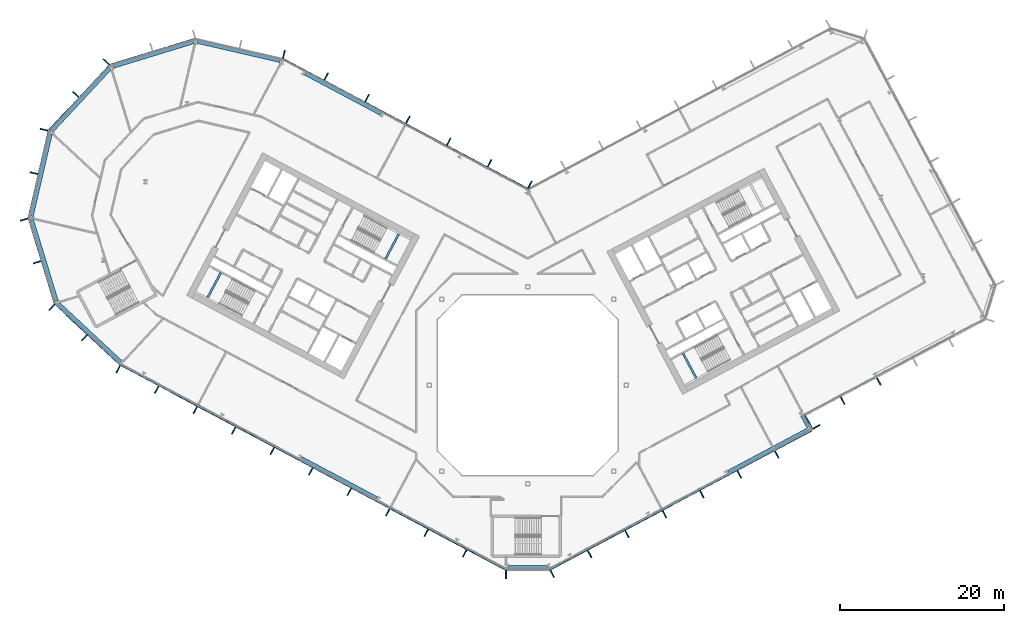
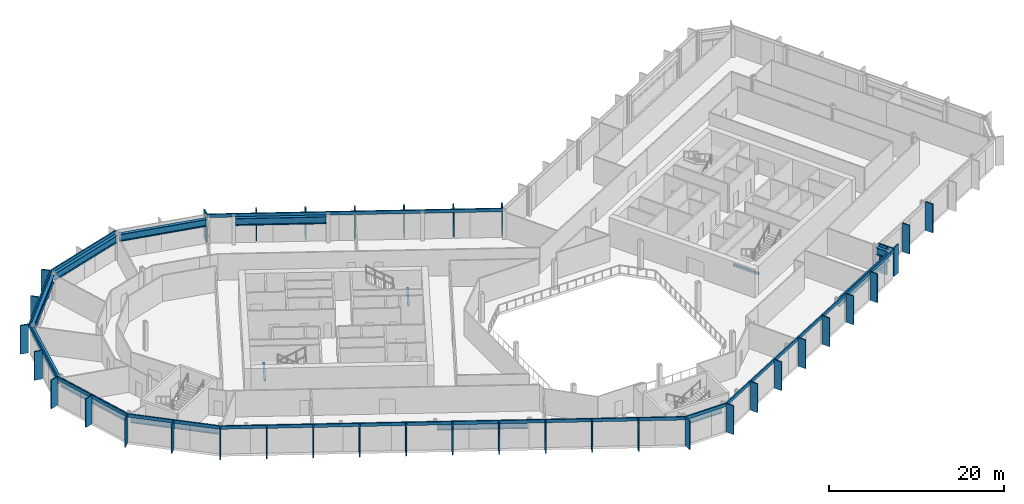
# One storey, part 9 of 28: 47 members, 14 beams, 12 elements without a shape of their own.
"""IFC4 building model written with IfcOpenShell, lengths in metres."""

from ifc_helpers import new_model, si_unit, direction, frame, origin, origin_2d, place, context, subcontext, project, spatial, rectangle, i_section, extrude, material, layer, layer_set, material_profile, profile_set, type_object, element, aggregate, save


model = new_model("IFC4")

# Units and contexts
model_context = context("Model", 3, precision=1e-05, world=origin(), true_north=direction((0.0, 1.0)))
body_context = subcontext(model_context, "Body", "Model", "MODEL_VIEW")
ifc_project = project(units=[si_unit("LENGTHUNIT", "METRE"), si_unit("AREAUNIT", "SQUARE_METRE"), si_unit("VOLUMEUNIT", "CUBIC_METRE"), si_unit("PLANEANGLEUNIT", "RADIAN"), si_unit("MASSUNIT", "GRAM", prefix="KILO")], contexts=[model_context])

# Site, building, storey
site_placement = place(None, origin())
site = spatial("IfcSite", under=ifc_project, at=site_placement, CompositionType="ELEMENT")
building_placement = place(site_placement, origin())
building = spatial("IfcBuilding", under=site, at=building_placement, Name="Cormorant Relay Tower", CompositionType="ELEMENT")
storey_placement = place(building_placement, frame((0.0, 0.0, 142.199951171875)))
storey = spatial("IfcBuildingStorey", under=building, at=storey_placement, Name="L29", CompositionType="ELEMENT", Elevation=142.199951171875)

# Curtain wall, member
ifc_material_1 = material(Name="Aluminium 6063-T6 anodised bronze", Category="aluminium")
ifc_layer = layer(ifc_material_1, 0.199951171875)
ifc_layer_set = layer_set([ifc_layer], Name="CW1 unitised bronze curtain wall with vertical fins")
curtain_wall_type = type_object("IfcCurtainWallType", Name="CW1 unitised bronze curtain wall with vertical fins", PredefinedType="NOTDEFINED", material=ifc_layer_set)
curtain_wall_1_placement = place(storey_placement, origin())
curtain_wall_1 = element("IfcCurtainWall", 1, at=curtain_wall_1_placement, inside=storey, type_object=curtain_wall_type, Name="CW1 curtain wall 1", PredefinedType="NOTDEFINED")
ifc_material_2 = material(Name="Aluminium 6063-T6 anodised bronze", Category="aluminium")
ifc_material_profile_1 = material_profile(ifc_material_2, rectangle(XDim=0.14990234375, YDim=1.0, at=origin_2d()), Name="AL 150x1000")
ifc_profile_set_1 = profile_set([ifc_material_profile_1], Name="Aluminium 6063-T6 anodised bronze")
member_type_1 = type_object("IfcMemberType", Name="CW1 bronze fin mullion 150 x 1000", PredefinedType="MULLION", material=ifc_profile_set_1)
member_1_placement = place(storey_placement, frame((-2.648681640625, -23.07568359375, 0.0), z_axis=(0.0, 0.0, 1.0), x_axis=(1.0, 0.0, 0.0)))
member_1 = element("IfcMember", 2, at=member_1_placement, type_object=member_type_1, Name="CW1 fin 1.1", PredefinedType="MULLION", context=body_context, shape_type="SweptSolid", body=[
    extrude(rectangle(XDim=0.14990234375, YDim=1.0, at=origin_2d()), origin(), (0.0, 0.0, 1.0), 4.0),
])

# Curtain wall, members
curtain_wall_2_placement = place(storey_placement, origin())
curtain_wall_2 = element("IfcCurtainWall", 3, at=curtain_wall_2_placement, inside=storey, type_object=curtain_wall_type, Name="CW1 curtain wall 2", PredefinedType="NOTDEFINED")
member_2_placement = place(storey_placement, frame((2.9775390625, -22.99365234375, 0.0), z_axis=(0.0, 0.0, 1.0), x_axis=(0.882947592859, 0.469471562786, 0.0)))
member_2 = element("IfcMember", 4, at=member_2_placement, type_object=member_type_1, Name="CW1 fin 2.1", PredefinedType="MULLION", context=body_context, shape_type="SweptSolid", body=[
    extrude(rectangle(XDim=0.14990234375, YDim=1.0, at=origin_2d()), origin(), (0.0, 0.0, 1.0), 4.0),
])
member_3_placement = place(storey_placement, frame((7.539306640625, -20.568115234375, 0.0), z_axis=(0.0, 0.0, 1.0), x_axis=(0.882947592859, 0.469471562786, 0.0)))
member_3 = element("IfcMember", 5, at=member_3_placement, type_object=member_type_1, Name="CW1 fin 2.2", PredefinedType="MULLION", context=body_context, shape_type="SweptSolid", body=[
    extrude(rectangle(XDim=0.14990234375, YDim=1.0, at=origin_2d()), origin(), (0.0, 0.0, 1.0), 4.0),
])
member_4_placement = place(storey_placement, frame((12.10107421875, -18.142578125, 0.0), z_axis=(0.0, 0.0, 1.0), x_axis=(0.882947592859, 0.469471562786, 0.0)))
member_4 = element("IfcMember", 6, at=member_4_placement, type_object=member_type_1, Name="CW1 fin 2.3", PredefinedType="MULLION", context=body_context, shape_type="SweptSolid", body=[
    extrude(rectangle(XDim=0.14990234375, YDim=1.0, at=origin_2d()), origin(), (0.0, 0.0, 1.0), 4.0),
])
member_5_placement = place(storey_placement, frame((16.662841796875, -15.717041015625, 0.0), z_axis=(0.0, 0.0, 1.0), x_axis=(0.882947592859, 0.469471562786, 0.0)))
member_5 = element("IfcMember", 7, at=member_5_placement, type_object=member_type_1, Name="CW1 fin 2.4", PredefinedType="MULLION", context=body_context, shape_type="SweptSolid", body=[
    extrude(rectangle(XDim=0.14990234375, YDim=1.0, at=origin_2d()), origin(), (0.0, 0.0, 1.0), 4.0),
])
member_6_placement = place(storey_placement, frame((21.224609375, -13.29150390625, 0.0), z_axis=(0.0, 0.0, 1.0), x_axis=(0.882947592859, 0.469471562786, 0.0)))
member_6 = element("IfcMember", 8, at=member_6_placement, type_object=member_type_1, Name="CW1 fin 2.5", PredefinedType="MULLION", context=body_context, shape_type="SweptSolid", body=[
    extrude(rectangle(XDim=0.14990234375, YDim=1.0, at=origin_2d()), origin(), (0.0, 0.0, 1.0), 4.0),
])
member_7_placement = place(storey_placement, frame((25.78662109375, -10.865966796875, 0.0), z_axis=(0.0, 0.0, 1.0), x_axis=(0.882947592859, 0.469471562786, 0.0)))
member_7 = element("IfcMember", 9, at=member_7_placement, type_object=member_type_1, Name="CW1 fin 2.6", PredefinedType="MULLION", context=body_context, shape_type="SweptSolid", body=[
    extrude(rectangle(XDim=0.14990234375, YDim=1.0, at=origin_2d()), origin(), (0.0, 0.0, 1.0), 4.0),
])
member_8_placement = place(storey_placement, frame((30.348388671875, -8.440185546875, 0.0), z_axis=(0.0, 0.0, 1.0), x_axis=(0.882947592859, 0.469471562786, 0.0)))
member_8 = element("IfcMember", 10, at=member_8_placement, type_object=member_type_1, Name="CW1 fin 2.7", PredefinedType="MULLION", context=body_context, shape_type="SweptSolid", body=[
    extrude(rectangle(XDim=0.14990234375, YDim=1.0, at=origin_2d()), origin(), (0.0, 0.0, 1.0), 4.0),
])

# Curtain wall, member
curtain_wall_3_placement = place(storey_placement, origin())
curtain_wall_3 = element("IfcCurtainWall", 11, at=curtain_wall_3_placement, inside=storey, type_object=curtain_wall_type, Name="CW1 curtain wall 3", PredefinedType="NOTDEFINED")
member_9_placement = place(storey_placement, frame((35.199462890625, -5.068115234375, 0.0), z_axis=(0.0, 0.0, 1.0), x_axis=(-0.469471562786, 0.882947592859, 0.0)))
member_9 = element("IfcMember", 12, at=member_9_placement, type_object=member_type_1, Name="CW1 fin 3.1", PredefinedType="MULLION", context=body_context, shape_type="SweptSolid", body=[
    extrude(rectangle(XDim=0.14990234375, YDim=1.0, at=origin_2d()), origin(), (0.0, 0.0, 1.0), 4.0),
])

# Curtain wall, members
curtain_wall_4_placement = place(storey_placement, origin())
curtain_wall_4 = element("IfcCurtainWall", 13, at=curtain_wall_4_placement, inside=storey, type_object=curtain_wall_type, Name="CW1 curtain wall 4", PredefinedType="NOTDEFINED")
member_10_placement = place(storey_placement, frame((34.037353515625, -4.213623046875, 0.0), z_axis=(0.0, 0.0, 1.0), x_axis=(0.882947592859, 0.469471562786, 0.0)))
member_10 = element("IfcMember", 14, at=member_10_placement, type_object=member_type_1, Name="CW1 fin 4.1", PredefinedType="MULLION", context=body_context, shape_type="SweptSolid", body=[
    extrude(rectangle(XDim=0.14990234375, YDim=1.0, at=origin_2d()), origin(), (0.0, 0.0, 1.0), 4.0),
])
member_11_placement = place(storey_placement, frame((38.385986328125, -1.901611328125, 0.0), z_axis=(0.0, 0.0, 1.0), x_axis=(0.882947592859, 0.469471562786, 0.0)))
member_11 = element("IfcMember", 15, at=member_11_placement, type_object=member_type_1, Name="CW1 fin 4.2", PredefinedType="MULLION", context=body_context, shape_type="SweptSolid", body=[
    extrude(rectangle(XDim=0.14990234375, YDim=1.0, at=origin_2d()), origin(), (0.0, 0.0, 1.0), 4.0),
])
member_12_placement = place(storey_placement, frame((42.800537109375, 0.44580078125, 0.0), z_axis=(0.0, 0.0, 1.0), x_axis=(0.882947592859, 0.469471562786, 0.0)))
member_12 = element("IfcMember", 16, at=member_12_placement, type_object=member_type_1, Name="CW1 fin 4.3", PredefinedType="MULLION", context=body_context, shape_type="SweptSolid", body=[
    extrude(rectangle(XDim=0.14990234375, YDim=1.0, at=origin_2d()), origin(), (0.0, 0.0, 1.0), 4.0),
])
aggregate(curtain_wall_4, [member_10, member_11, member_12])

curtain_wall_5_placement = place(storey_placement, origin())
curtain_wall_5 = element("IfcCurtainWall", 17, at=curtain_wall_5_placement, inside=storey, type_object=curtain_wall_type, Name="CW1 curtain wall 9", PredefinedType="NOTDEFINED")
member_13_placement = place(storey_placement, frame((0.262451171875, 24.437255859375, 0.0), z_axis=(0.0, 0.0, 1.0), x_axis=(-0.882947592859, 0.469471562786, 0.0)))
member_13 = element("IfcMember", 18, at=member_13_placement, type_object=member_type_1, Name="CW1 fin 9.1", PredefinedType="MULLION", context=body_context, shape_type="SweptSolid", body=[
    extrude(rectangle(XDim=0.14990234375, YDim=1.0, at=origin_2d()), origin(), (0.0, 0.0, 1.0), 4.0),
])
member_14_placement = place(storey_placement, frame((-4.650390625, 27.04931640625, 0.0), z_axis=(0.0, 0.0, 1.0), x_axis=(-0.882947592859, 0.469471562786, 0.0)))
member_14 = element("IfcMember", 19, at=member_14_placement, type_object=member_type_1, Name="CW1 fin 9.2", PredefinedType="MULLION", context=body_context, shape_type="SweptSolid", body=[
    extrude(rectangle(XDim=0.14990234375, YDim=1.0, at=origin_2d()), origin(), (0.0, 0.0, 1.0), 4.0),
])
member_15_placement = place(storey_placement, frame((-9.62939453125, 29.69677734375, 0.0), z_axis=(0.0, 0.0, 1.0), x_axis=(-0.882947592859, 0.469471562786, 0.0)))
member_15 = element("IfcMember", 20, at=member_15_placement, type_object=member_type_1, Name="CW1 fin 9.3", PredefinedType="MULLION", context=body_context, shape_type="SweptSolid", body=[
    extrude(rectangle(XDim=0.14990234375, YDim=1.0, at=origin_2d()), origin(), (0.0, 0.0, 1.0), 4.0),
])
member_16_placement = place(storey_placement, frame((-14.608154296875, 32.343994140625, 0.0), z_axis=(0.0, 0.0, 1.0), x_axis=(-0.882947592859, 0.469471562786, 0.0)))
member_16 = element("IfcMember", 21, at=member_16_placement, type_object=member_type_1, Name="CW1 fin 9.4", PredefinedType="MULLION", context=body_context, shape_type="SweptSolid", body=[
    extrude(rectangle(XDim=0.14990234375, YDim=1.0, at=origin_2d()), origin(), (0.0, 0.0, 1.0), 4.0),
])
member_17_placement = place(storey_placement, frame((-19.587158203125, 34.991455078125, 0.0), z_axis=(0.0, 0.0, 1.0), x_axis=(-0.882947592859, 0.469471562786, 0.0)))
member_17 = element("IfcMember", 22, at=member_17_placement, type_object=member_type_1, Name="CW1 fin 9.5", PredefinedType="MULLION", context=body_context, shape_type="SweptSolid", body=[
    extrude(rectangle(XDim=0.14990234375, YDim=1.0, at=origin_2d()), origin(), (0.0, 0.0, 1.0), 4.0),
])
member_18_placement = place(storey_placement, frame((-24.566162109375, 37.638916015625, 0.0), z_axis=(0.0, 0.0, 1.0), x_axis=(-0.882947592859, 0.469471562786, 0.0)))
member_18 = element("IfcMember", 23, at=member_18_placement, type_object=member_type_1, Name="CW1 fin 9.6", PredefinedType="MULLION", context=body_context, shape_type="SweptSolid", body=[
    extrude(rectangle(XDim=0.14990234375, YDim=1.0, at=origin_2d()), origin(), (0.0, 0.0, 1.0), 4.0),
])

# Curtain wall, member
curtain_wall_6_placement = place(storey_placement, origin())
curtain_wall_6 = element("IfcCurtainWall", 24, at=curtain_wall_6_placement, inside=storey, type_object=curtain_wall_type, Name="CW1 curtain wall 10", PredefinedType="NOTDEFINED")
member_19_placement = place(storey_placement, frame((-29.71630859375, 40.35009765625, 0.0), z_axis=(0.0, 0.0, 1.0), x_axis=(-0.974370064785, 0.224951054344, 0.0)))
member_19 = element("IfcMember", 25, at=member_19_placement, type_object=member_type_1, Name="CW1 fin 10.1", PredefinedType="MULLION", context=body_context, shape_type="SweptSolid", body=[
    extrude(rectangle(XDim=0.14990234375, YDim=1.0, at=origin_2d()), origin(), (0.0, 0.0, 1.0), 4.0),
])
aggregate(curtain_wall_6, [member_19])

# Curtain wall, members
curtain_wall_7_placement = place(storey_placement, origin())
curtain_wall_7 = element("IfcCurtainWall", 26, at=curtain_wall_7_placement, inside=storey, type_object=curtain_wall_type, Name="CW1 curtain wall 12", PredefinedType="NOTDEFINED")
member_20_placement = place(storey_placement, frame((-51.372802734375, 39.41259765625, 0.0), z_axis=(0.0, 0.0, 1.0), x_axis=(-0.681998360062, -0.731353701619, 0.0)))
member_20 = element("IfcMember", 27, at=member_20_placement, type_object=member_type_1, Name="CW1 fin 12.1", PredefinedType="MULLION", context=body_context, shape_type="SweptSolid", body=[
    extrude(rectangle(XDim=0.14990234375, YDim=1.0, at=origin_2d()), origin(), (0.0, 0.0, 1.0), 4.0),
])
member_21_placement = place(storey_placement, frame((-55.07958984375, 35.4375, 0.0), z_axis=(0.0, 0.0, 1.0), x_axis=(-0.681998360062, -0.731353701619, 0.0)))
member_21 = element("IfcMember", 28, at=member_21_placement, type_object=member_type_1, Name="CW1 fin 12.2", PredefinedType="MULLION", context=body_context, shape_type="SweptSolid", body=[
    extrude(rectangle(XDim=0.14990234375, YDim=1.0, at=origin_2d()), origin(), (0.0, 0.0, 1.0), 4.0),
])

curtain_wall_8_placement = place(storey_placement, origin())
curtain_wall_8 = element("IfcCurtainWall", 29, at=curtain_wall_8_placement, inside=storey, type_object=curtain_wall_type, Name="CW1 curtain wall 13", PredefinedType="NOTDEFINED")
member_22_placement = place(storey_placement, frame((-58.95654296875, 31.142578125, 0.0), z_axis=(0.0, 0.0, 1.0), x_axis=(-0.224951054344, -0.974370064785, 0.0)))
member_22 = element("IfcMember", 30, at=member_22_placement, type_object=member_type_1, Name="CW1 fin 13.1", PredefinedType="MULLION", context=body_context, shape_type="SweptSolid", body=[
    extrude(rectangle(XDim=0.14990234375, YDim=1.0, at=origin_2d()), origin(), (0.0, 0.0, 1.0), 4.0),
])
member_23_placement = place(storey_placement, frame((-60.17919921875, 25.8466796875, 0.0), z_axis=(0.0, 0.0, 1.0), x_axis=(-0.224951054344, -0.974370064785, 0.0)))
member_23 = element("IfcMember", 31, at=member_23_placement, type_object=member_type_1, Name="CW1 fin 13.2", PredefinedType="MULLION", context=body_context, shape_type="SweptSolid", body=[
    extrude(rectangle(XDim=0.14990234375, YDim=1.0, at=origin_2d()), origin(), (0.0, 0.0, 1.0), 4.0),
])

curtain_wall_9_placement = place(storey_placement, origin())
curtain_wall_9 = element("IfcCurtainWall", 32, at=curtain_wall_9_placement, inside=storey, type_object=curtain_wall_type, Name="CW1 curtain wall 14", PredefinedType="NOTDEFINED")
member_24_placement = place(storey_placement, frame((-61.389404296875, 20.188720703125, 0.0), z_axis=(0.0, 0.0, 1.0), x_axis=(0.292371704723, -0.956304755963, 0.0)))
member_24 = element("IfcMember", 33, at=member_24_placement, type_object=member_type_1, Name="CW1 fin 14.1", PredefinedType="MULLION", context=body_context, shape_type="SweptSolid", body=[
    extrude(rectangle(XDim=0.14990234375, YDim=1.0, at=origin_2d()), origin(), (0.0, 0.0, 1.0), 4.0),
])
member_25_placement = place(storey_placement, frame((-59.80029296875, 14.990966796875, 0.0), z_axis=(0.0, 0.0, 1.0), x_axis=(0.292371704723, -0.956304755963, 0.0)))
member_25 = element("IfcMember", 34, at=member_25_placement, type_object=member_type_1, Name="CW1 fin 14.2", PredefinedType="MULLION", context=body_context, shape_type="SweptSolid", body=[
    extrude(rectangle(XDim=0.14990234375, YDim=1.0, at=origin_2d()), origin(), (0.0, 0.0, 1.0), 4.0),
])

curtain_wall_10_placement = place(storey_placement, origin())
curtain_wall_10 = element("IfcCurtainWall", 35, at=curtain_wall_10_placement, inside=storey, type_object=curtain_wall_type, Name="CW1 curtain wall 15", PredefinedType="NOTDEFINED")
member_26_placement = place(storey_placement, frame((-58.01904296875, 9.486083984375, 0.0), z_axis=(0.0, 0.0, 1.0), x_axis=(0.731353701619, -0.681998360062, 0.0)))
member_26 = element("IfcMember", 36, at=member_26_placement, type_object=member_type_1, Name="CW1 fin 15.1", PredefinedType="MULLION", context=body_context, shape_type="SweptSolid", body=[
    extrude(rectangle(XDim=0.14990234375, YDim=1.0, at=origin_2d()), origin(), (0.0, 0.0, 1.0), 4.0),
])
member_27_placement = place(storey_placement, frame((-54.0439453125, 5.779296875, 0.0), z_axis=(0.0, 0.0, 1.0), x_axis=(0.731353701619, -0.681998360062, 0.0)))
member_27 = element("IfcMember", 37, at=member_27_placement, type_object=member_type_1, Name="CW1 fin 15.2", PredefinedType="MULLION", context=body_context, shape_type="SweptSolid", body=[
    extrude(rectangle(XDim=0.14990234375, YDim=1.0, at=origin_2d()), origin(), (0.0, 0.0, 1.0), 4.0),
])

curtain_wall_11_placement = place(storey_placement, origin())
curtain_wall_11 = element("IfcCurtainWall", 38, at=curtain_wall_11_placement, inside=storey, type_object=curtain_wall_type, Name="CW1 curtain wall 16", PredefinedType="NOTDEFINED")
member_28_placement = place(storey_placement, frame((-49.920166015625, 1.96630859375, 0.0), z_axis=(0.0, 0.0, 1.0), x_axis=(0.882947592859, -0.469471562786, 0.0)))
member_28 = element("IfcMember", 39, at=member_28_placement, type_object=member_type_1, Name="CW1 fin 16.1", PredefinedType="MULLION", context=body_context, shape_type="SweptSolid", body=[
    extrude(rectangle(XDim=0.14990234375, YDim=1.0, at=origin_2d()), origin(), (0.0, 0.0, 1.0), 4.0),
])
member_29_placement = place(storey_placement, frame((-45.225830078125, -0.52978515625, 0.0), z_axis=(0.0, 0.0, 1.0), x_axis=(0.882947592859, -0.469471562786, 0.0)))
member_29 = element("IfcMember", 40, at=member_29_placement, type_object=member_type_1, Name="CW1 fin 16.2", PredefinedType="MULLION", context=body_context, shape_type="SweptSolid", body=[
    extrude(rectangle(XDim=0.14990234375, YDim=1.0, at=origin_2d()), origin(), (0.0, 0.0, 1.0), 4.0),
])
member_30_placement = place(storey_placement, frame((-40.531494140625, -3.025634765625, 0.0), z_axis=(0.0, 0.0, 1.0), x_axis=(0.882947592859, -0.469471562786, 0.0)))
member_30 = element("IfcMember", 41, at=member_30_placement, type_object=member_type_1, Name="CW1 fin 16.3", PredefinedType="MULLION", context=body_context, shape_type="SweptSolid", body=[
    extrude(rectangle(XDim=0.14990234375, YDim=1.0, at=origin_2d()), origin(), (0.0, 0.0, 1.0), 4.0),
])
member_31_placement = place(storey_placement, frame((-35.83740234375, -5.521728515625, 0.0), z_axis=(0.0, 0.0, 1.0), x_axis=(0.882947592859, -0.469471562786, 0.0)))
member_31 = element("IfcMember", 42, at=member_31_placement, type_object=member_type_1, Name="CW1 fin 16.4", PredefinedType="MULLION", context=body_context, shape_type="SweptSolid", body=[
    extrude(rectangle(XDim=0.14990234375, YDim=1.0, at=origin_2d()), origin(), (0.0, 0.0, 1.0), 4.0),
])
member_32_placement = place(storey_placement, frame((-31.14306640625, -8.017578125, 0.0), z_axis=(0.0, 0.0, 1.0), x_axis=(0.882947592859, -0.469471562786, 0.0)))
member_32 = element("IfcMember", 43, at=member_32_placement, type_object=member_type_1, Name="CW1 fin 16.5", PredefinedType="MULLION", context=body_context, shape_type="SweptSolid", body=[
    extrude(rectangle(XDim=0.14990234375, YDim=1.0, at=origin_2d()), origin(), (0.0, 0.0, 1.0), 4.0),
])
member_33_placement = place(storey_placement, frame((-26.44873046875, -10.513671875, 0.0), z_axis=(0.0, 0.0, 1.0), x_axis=(0.882947592859, -0.469471562786, 0.0)))
member_33 = element("IfcMember", 44, at=member_33_placement, type_object=member_type_1, Name="CW1 fin 16.6", PredefinedType="MULLION", context=body_context, shape_type="SweptSolid", body=[
    extrude(rectangle(XDim=0.14990234375, YDim=1.0, at=origin_2d()), origin(), (0.0, 0.0, 1.0), 4.0),
])
member_34_placement = place(storey_placement, frame((-21.754638671875, -13.009765625, 0.0), z_axis=(0.0, 0.0, 1.0), x_axis=(0.882947592859, -0.469471562786, 0.0)))
member_34 = element("IfcMember", 45, at=member_34_placement, type_object=member_type_1, Name="CW1 fin 16.7", PredefinedType="MULLION", context=body_context, shape_type="SweptSolid", body=[
    extrude(rectangle(XDim=0.14990234375, YDim=1.0, at=origin_2d()), origin(), (0.0, 0.0, 1.0), 4.0),
])
member_35_placement = place(storey_placement, frame((-17.060302734375, -15.505615234375, 0.0), z_axis=(0.0, 0.0, 1.0), x_axis=(0.882947592859, -0.469471562786, 0.0)))
member_35 = element("IfcMember", 46, at=member_35_placement, type_object=member_type_1, Name="CW1 fin 16.8", PredefinedType="MULLION", context=body_context, shape_type="SweptSolid", body=[
    extrude(rectangle(XDim=0.14990234375, YDim=1.0, at=origin_2d()), origin(), (0.0, 0.0, 1.0), 4.0),
])
member_36_placement = place(storey_placement, frame((-12.365966796875, -18.001708984375, 0.0), z_axis=(0.0, 0.0, 1.0), x_axis=(0.882947592859, -0.469471562786, 0.0)))
member_36 = element("IfcMember", 47, at=member_36_placement, type_object=member_type_1, Name="CW1 fin 16.9", PredefinedType="MULLION", context=body_context, shape_type="SweptSolid", body=[
    extrude(rectangle(XDim=0.14990234375, YDim=1.0, at=origin_2d()), origin(), (0.0, 0.0, 1.0), 4.0),
])
member_37_placement = place(storey_placement, frame((-7.671630859375, -20.49755859375, 0.0), z_axis=(0.0, 0.0, 1.0), x_axis=(0.882947592859, -0.469471562786, 0.0)))
member_37 = element("IfcMember", 48, at=member_37_placement, type_object=member_type_1, Name="CW1 fin 16.10", PredefinedType="MULLION", context=body_context, shape_type="SweptSolid", body=[
    extrude(rectangle(XDim=0.14990234375, YDim=1.0, at=origin_2d()), origin(), (0.0, 0.0, 1.0), 4.0),
])

# Member
ifc_material_3 = material(Name="Aluminium 6063-T6 anodised bronze", Category="aluminium")
ifc_material_profile_2 = material_profile(ifc_material_3, rectangle(XDim=0.159912109375, YDim=0.449951171875, at=origin_2d()), Name="AL 160x450")
ifc_profile_set_2 = profile_set([ifc_material_profile_2], Name="Aluminium 6063-T6 anodised bronze")
member_type_2 = type_object("IfcMemberType", Name="CW1 bronze transom 160 x 450", PredefinedType="USERDEFINED", material=ifc_profile_set_2)
member_38_placement = place(storey_placement, frame((-2.648681640625, -22.49560546875, 3.775146484375), z_axis=(1.0, 0.0, 0.0), x_axis=(0.0, 1.0, 0.0)))
member_38 = element("IfcMember", 49, at=member_38_placement, type_object=member_type_2, Name="CW1 transom 1", ObjectType="TRANSOM", PredefinedType="USERDEFINED", context=body_context, shape_type="SweptSolid", body=[
    extrude(rectangle(XDim=0.159912109375, YDim=0.449951171875, at=origin_2d()), origin(), (0.0, 0.0, 1.0), 5.29736328125),
])

aggregate(curtain_wall_1, [member_1, member_38])

member_39_placement = place(storey_placement, frame((2.705078125, -22.4814453125, 3.775146484375), z_axis=(0.882948899141, 0.469469106018, 0.0), x_axis=(-0.469469106018, 0.882948899141, 0.0)))
member_39 = element("IfcMember", 50, at=member_39_placement, type_object=member_type_2, Name="CW1 transom 2", ObjectType="TRANSOM", PredefinedType="USERDEFINED", context=body_context, shape_type="SweptSolid", body=[
    extrude(rectangle(XDim=0.159912109375, YDim=0.449951171875, at=origin_2d()), origin(), (0.0, 0.0, 1.0), 36.165771484375),
])

aggregate(curtain_wall_2, [member_2, member_3, member_4, member_5, member_6, member_7, member_8, member_39])

member_40_placement = place(storey_placement, frame((34.6875, -5.34033203125, 3.775146484375), z_axis=(-0.469580583036, 0.88288961713, 0.0), x_axis=(-0.88288961713, -0.469580583036, 0.0)))
member_40 = element("IfcMember", 51, at=member_40_placement, type_object=member_type_2, Name="CW1 transom 3", ObjectType="TRANSOM", PredefinedType="USERDEFINED", context=body_context, shape_type="SweptSolid", body=[
    extrude(rectangle(XDim=0.159912109375, YDim=0.449951171875, at=origin_2d()), origin(), (0.0, 0.0, 1.0), 2.0),
])

aggregate(curtain_wall_3, [member_9, member_40])

member_41_placement = place(storey_placement, frame((0.056396484375, 23.889892578125, 3.775146484375), z_axis=(-0.882946280328, 0.46947403129, 0.0), x_axis=(-0.46947403129, -0.882946280328, 0.0)))
member_41 = element("IfcMember", 52, at=member_41_placement, type_object=member_type_2, Name="CW1 transom 9", ObjectType="TRANSOM", PredefinedType="USERDEFINED", context=body_context, shape_type="SweptSolid", body=[
    extrude(rectangle(XDim=0.159912109375, YDim=0.449951171875, at=origin_2d()), origin(), (0.0, 0.0, 1.0), 33.834228515625),
])

aggregate(curtain_wall_5, [member_13, member_14, member_15, member_16, member_17, member_18, member_41])

# Curtain wall, member
curtain_wall_12_placement = place(storey_placement, origin())
curtain_wall_12 = element("IfcCurtainWall", 53, at=curtain_wall_12_placement, inside=storey, type_object=curtain_wall_type, Name="CW1 curtain wall 11", PredefinedType="NOTDEFINED")
member_42_placement = place(storey_placement, frame((-40.50048828125, 42.228271484375, 3.775146484375), z_axis=(-0.956304833932, -0.292371449698, 0.0), x_axis=(0.292371449698, -0.956304833932, 0.0)))
member_42 = element("IfcMember", 54, at=member_42_placement, type_object=member_type_2, Name="CW1 transom 11", ObjectType="TRANSOM", PredefinedType="USERDEFINED", context=body_context, shape_type="SweptSolid", body=[
    extrude(rectangle(XDim=0.159912109375, YDim=0.449951171875, at=origin_2d()), origin(), (0.0, 0.0, 1.0), 10.87060546875),
])
aggregate(curtain_wall_12, [member_42])

# Member
member_43_placement = place(storey_placement, frame((-50.94873046875, 39.01708984375, 3.775146484375), z_axis=(-0.681993299437, -0.731358420696, 0.0), x_axis=(0.731358420696, -0.681993299437, 0.0)))
member_43 = element("IfcMember", 55, at=member_43_placement, type_object=member_type_2, Name="CW1 transom 12", ObjectType="TRANSOM", PredefinedType="USERDEFINED", context=body_context, shape_type="SweptSolid", body=[
    extrude(rectangle(XDim=0.159912109375, YDim=0.449951171875, at=origin_2d()), origin(), (0.0, 0.0, 1.0), 10.870361328125),
])

aggregate(curtain_wall_7, [member_20, member_21, member_43])

member_44_placement = place(storey_placement, frame((-58.3916015625, 31.01220703125, 3.775146484375), z_axis=(-0.22495136131, -0.974369993916, 0.0), x_axis=(0.974369993916, -0.22495136131, 0.0)))
member_44 = element("IfcMember", 56, at=member_44_placement, type_object=member_type_2, Name="CW1 transom 13", ObjectType="TRANSOM", PredefinedType="USERDEFINED", context=body_context, shape_type="SweptSolid", body=[
    extrude(rectangle(XDim=0.159912109375, YDim=0.449951171875, at=origin_2d()), origin(), (0.0, 0.0, 1.0), 10.870361328125),
])

aggregate(curtain_wall_8, [member_22, member_23, member_44])

member_45_placement = place(storey_placement, frame((-60.834716796875, 20.358154296875, 3.775146484375), z_axis=(0.292377729282, -0.95630291405, 0.0), x_axis=(0.95630291405, 0.292377729282, 0.0)))
member_45 = element("IfcMember", 57, at=member_45_placement, type_object=member_type_2, Name="CW1 transom 14", ObjectType="TRANSOM", PredefinedType="USERDEFINED", context=body_context, shape_type="SweptSolid", body=[
    extrude(rectangle(XDim=0.159912109375, YDim=0.449951171875, at=origin_2d()), origin(), (0.0, 0.0, 1.0), 10.870361328125),
])

aggregate(curtain_wall_9, [member_24, member_25, member_45])

member_46_placement = place(storey_placement, frame((-57.62353515625, 9.91015625, 3.775146484375), z_axis=(0.731358420696, -0.681993299437, 0.0), x_axis=(0.681993299437, 0.731358420696, 0.0)))
member_46 = element("IfcMember", 58, at=member_46_placement, type_object=member_type_2, Name="CW1 transom 15", ObjectType="TRANSOM", PredefinedType="USERDEFINED", context=body_context, shape_type="SweptSolid", body=[
    extrude(rectangle(XDim=0.159912109375, YDim=0.449951171875, at=origin_2d()), origin(), (0.0, 0.0, 1.0), 10.870361328125),
])

aggregate(curtain_wall_10, [member_26, member_27, member_46])

member_47_placement = place(storey_placement, frame((-49.64794921875, 2.478515625, 3.775146484375), z_axis=(0.882947642542, -0.469471469346, 0.0), x_axis=(0.469471469346, 0.882947642542, 0.0)))
member_47 = element("IfcMember", 59, at=member_47_placement, type_object=member_type_2, Name="CW1 transom 16", ObjectType="TRANSOM", PredefinedType="USERDEFINED", context=body_context, shape_type="SweptSolid", body=[
    extrude(rectangle(XDim=0.159912109375, YDim=0.449951171875, at=origin_2d()), origin(), (0.0, 0.0, 1.0), 53.166015625),
])

aggregate(curtain_wall_11, [member_28, member_29, member_30, member_31, member_32, member_33, member_34, member_35, member_36, member_37, member_47])

# Beams
ifc_material_4 = material(Name="Steel ASTM A992 (Fy 345 MPa)", Category="steel")
ifc_material_profile_3 = material_profile(ifc_material_4, i_section(OverallWidth=0.4013671875, OverallDepth=1.000732421875, WebThickness=0.01904296875, FlangeThickness=0.0361328125, FilletRadius=0.02978515625, at=origin_2d()), Name="W1000x371")
ifc_profile_set_3 = profile_set([ifc_material_profile_3], Name="Steel ASTM A992 (Fy 345 MPa)")
beam_type_1 = type_object("IfcBeamType", Name="Spandrel W1000x371", PredefinedType="SPANDREL", material=ifc_profile_set_3)
beam_1_placement = place(storey_placement, frame((-2.35888671875, -22.1748046875, 3.1396484375), z_axis=(1.0, 0.0, 0.0), x_axis=(0.0, 1.0, 0.0)))
element("IfcBeam", 60, at=beam_1_placement, inside=storey, type_object=beam_type_1, Name="Spandrel beam L29-001", PredefinedType="SPANDREL", context=body_context, shape_type="SweptSolid", body=[
    extrude(i_section(OverallWidth=0.4013671875, OverallDepth=1.000732421875, WebThickness=0.01904296875, FlangeThickness=0.0361328125, FilletRadius=0.02978515625, at=origin_2d()), origin(), (0.0, 0.0, 1.0), 4.748046875),
])
beam_2_placement = place(storey_placement, frame((24.427001953125, -10.568603515625, 3.1396484375), z_axis=(0.88295524081, 0.469457178799, 0.0), x_axis=(-0.469457178799, 0.88295524081, 0.0)))
element("IfcBeam", 61, at=beam_2_placement, inside=storey, type_object=beam_type_1, Name="Spandrel beam L29-002", PredefinedType="SPANDREL", context=body_context, shape_type="SweptSolid", body=[
    extrude(i_section(OverallWidth=0.4013671875, OverallDepth=1.000732421875, WebThickness=0.01904296875, FlangeThickness=0.0361328125, FilletRadius=0.02978515625, at=origin_2d()), origin(), (0.0, 0.0, 1.0), 10.915771484375),
])
beam_3_placement = place(storey_placement, frame((34.191650390625, -5.091064453125, 3.1396484375), z_axis=(-0.469471937736, 0.882947393494, 0.0), x_axis=(-0.882947393494, -0.469471937736, 0.0)))
element("IfcBeam", 62, at=beam_3_placement, inside=storey, type_object=beam_type_1, Name="Spandrel beam L29-003", PredefinedType="SPANDREL", context=body_context, shape_type="SweptSolid", body=[
    extrude(i_section(OverallWidth=0.4013671875, OverallDepth=1.000732421875, WebThickness=0.01904296875, FlangeThickness=0.0361328125, FilletRadius=0.02978515625, at=origin_2d()), origin(), (0.0, 0.0, 1.0), 1.521728515625),
])
beam_4_placement = place(storey_placement, frame((-17.964599609375, 33.108642578125, 3.1396484375), z_axis=(-0.882946180893, 0.469474218299, 0.0), x_axis=(-0.469474218299, -0.882946180893, 0.0)))
element("IfcBeam", 63, at=beam_4_placement, inside=storey, type_object=beam_type_1, Name="Spandrel beam L29-009", PredefinedType="SPANDREL", context=body_context, shape_type="SweptSolid", body=[
    extrude(i_section(OverallWidth=0.4013671875, OverallDepth=1.000732421875, WebThickness=0.01904296875, FlangeThickness=0.0361328125, FilletRadius=0.02978515625, at=origin_2d()), origin(), (0.0, 0.0, 1.0), 10.388671875),
])
beam_5_placement = place(storey_placement, frame((-30.162109375, 39.52880859375, 3.1396484375), z_axis=(-0.974371727644, 0.224943851591, 0.0), x_axis=(-0.224943851591, -0.974371727644, 0.0)))
element("IfcBeam", 64, at=beam_5_placement, inside=storey, type_object=beam_type_1, Name="Spandrel beam L29-010", PredefinedType="SPANDREL", context=body_context, shape_type="SweptSolid", body=[
    extrude(i_section(OverallWidth=0.4013671875, OverallDepth=1.000732421875, WebThickness=0.01904296875, FlangeThickness=0.0361328125, FilletRadius=0.02978515625, at=origin_2d()), origin(), (0.0, 0.0, 1.0), 10.3583984375),
])
beam_6_placement = place(storey_placement, frame((-40.69140625, 41.834716796875, 3.1396484375), z_axis=(-0.95629714744, -0.292396589921, 0.0), x_axis=(0.292396589921, -0.95629714744, 0.0)))
element("IfcBeam", 65, at=beam_6_placement, inside=storey, type_object=beam_type_1, Name="Spandrel beam L29-011", PredefinedType="SPANDREL", context=body_context, shape_type="SweptSolid", body=[
    extrude(i_section(OverallWidth=0.4013671875, OverallDepth=1.000732421875, WebThickness=0.01904296875, FlangeThickness=0.0361328125, FilletRadius=0.02978515625, at=origin_2d()), origin(), (0.0, 0.0, 1.0), 10.31103515625),
])
beam_7_placement = place(storey_placement, frame((-50.917236328125, 38.58056640625, 3.1396484375), z_axis=(-0.682003508788, -0.731348900321, 0.0), x_axis=(0.731348900321, -0.682003508788, 0.0)))
element("IfcBeam", 66, at=beam_7_placement, inside=storey, type_object=beam_type_1, Name="Spandrel beam L29-012", PredefinedType="SPANDREL", context=body_context, shape_type="SweptSolid", body=[
    extrude(i_section(OverallWidth=0.4013671875, OverallDepth=1.000732421875, WebThickness=0.01904296875, FlangeThickness=0.0361328125, FilletRadius=0.02978515625, at=origin_2d()), origin(), (0.0, 0.0, 1.0), 10.310791015625),
])
for number, where, z_axis, x_axis, name in (
    (67, (-58.14599609375, 30.64990234375, 3.1396484375), (-0.224951162328, -0.974370039855, 0.0), (0.974370039855, -0.224951162328, 0.0), "Spandrel beam L29-013"),
    (68, (-60.44091796875, 20.16748046875, 3.1396484375), (0.292366522639, -0.95630634027, 0.0), (0.95630634027, 0.292366522639, 0.0), "Spandrel beam L29-014"),
):
    element("IfcBeam", number, at=place(storey_placement, frame(where, z_axis=z_axis, x_axis=x_axis)), inside=storey, type_object=beam_type_1, Name=name, PredefinedType="SPANDREL", context=body_context, shape_type="SweptSolid", body=[
        extrude(i_section(OverallWidth=0.4013671875, OverallDepth=1.000732421875, WebThickness=0.01904296875, FlangeThickness=0.0361328125, FilletRadius=0.02978515625, at=origin_2d()), origin(), (0.0, 0.0, 1.0), 10.310302734375),
    ])
beam_8_placement = place(storey_placement, frame((-57.1875, 9.94189453125, 3.1396484375), z_axis=(0.731351225545, -0.682001015317, 0.0), x_axis=(0.682001015317, 0.731351225545, 0.0)))
element("IfcBeam", 69, at=beam_8_placement, inside=storey, type_object=beam_type_1, Name="Spandrel beam L29-015", PredefinedType="SPANDREL", context=body_context, shape_type="SweptSolid", body=[
    extrude(i_section(OverallWidth=0.4013671875, OverallDepth=1.000732421875, WebThickness=0.01904296875, FlangeThickness=0.0361328125, FilletRadius=0.02978515625, at=origin_2d()), origin(), (0.0, 0.0, 1.0), 10.33935546875),
])
beam_9_placement = place(storey_placement, frame((-27.595458984375, -8.8837890625, 3.1396484375), z_axis=(0.882941619164, -0.4694827975, 0.0), x_axis=(0.4694827975, 0.882941619164, 0.0)))
element("IfcBeam", 70, at=beam_9_placement, inside=storey, type_object=beam_type_1, Name="Spandrel beam L29-016", PredefinedType="SPANDREL", context=body_context, shape_type="SweptSolid", body=[
    extrude(i_section(OverallWidth=0.4013671875, OverallDepth=1.000732421875, WebThickness=0.01904296875, FlangeThickness=0.0361328125, FilletRadius=0.02978515625, at=origin_2d()), origin(), (0.0, 0.0, 1.0), 10.388916015625),
])
ifc_material_5 = material(Name="Concrete 50 MPa", Category="concrete")
ifc_material_profile_4 = material_profile(ifc_material_5, rectangle(XDim=0.25, YDim=0.300048828125, at=origin_2d()), Name="RC 250x300")
ifc_profile_set_4 = profile_set([ifc_material_profile_4], Name="Concrete 50 MPa")
beam_type_2 = type_object("IfcBeamType", Name="Stair landing ledge beam 250x300", PredefinedType="BEAM", material=ifc_profile_set_4)
for number, where, z_axis, x_axis, name in (
    (71, (-17.338623046875, 15.3916015625, 1.650146484375), (0.469463917486, 0.882951657895, 0.0), (-0.882951657895, 0.469463917486, 0.0), "A1 landing ledge beam"),
    (72, (-37.404052734375, 13.715576171875, 1.650146484375), (-0.469463917486, -0.882951657895, 0.0), (0.882951657895, -0.469463917486, 0.0), "A2 landing ledge beam"),
    (73, (18.924072265625, 3.8896484375, 1.650146484375), (0.469463917486, -0.882951657895, 0.0), (0.882951657895, 0.469463917486, 0.0), "B1 landing ledge beam"),
):
    element("IfcBeam", number, at=place(storey_placement, frame(where, z_axis=z_axis, x_axis=x_axis)), inside=storey, type_object=beam_type_2, Name=name, PredefinedType="BEAM", context=body_context, shape_type="SweptSolid", body=[
        extrude(rectangle(XDim=0.25, YDim=0.300048828125, at=origin_2d()), origin(), (0.0, 0.0, 1.0), 3.449951171875),
    ])

save(model, "model.ifc")
